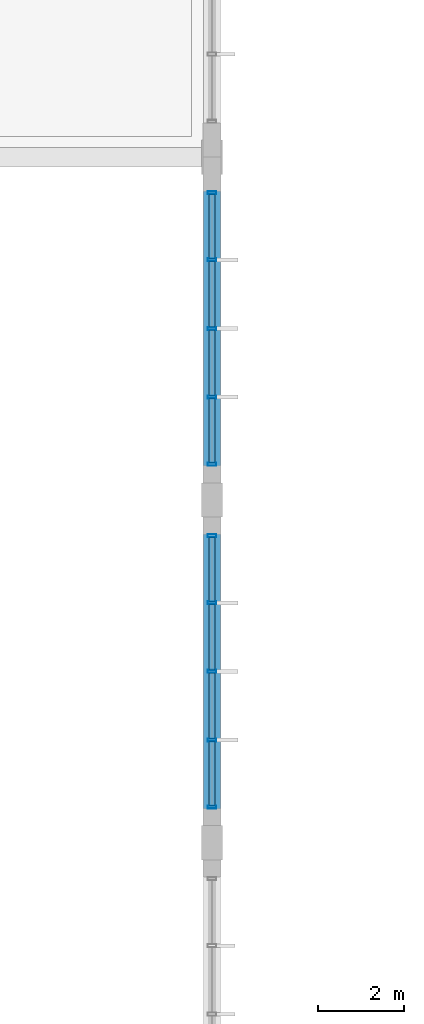
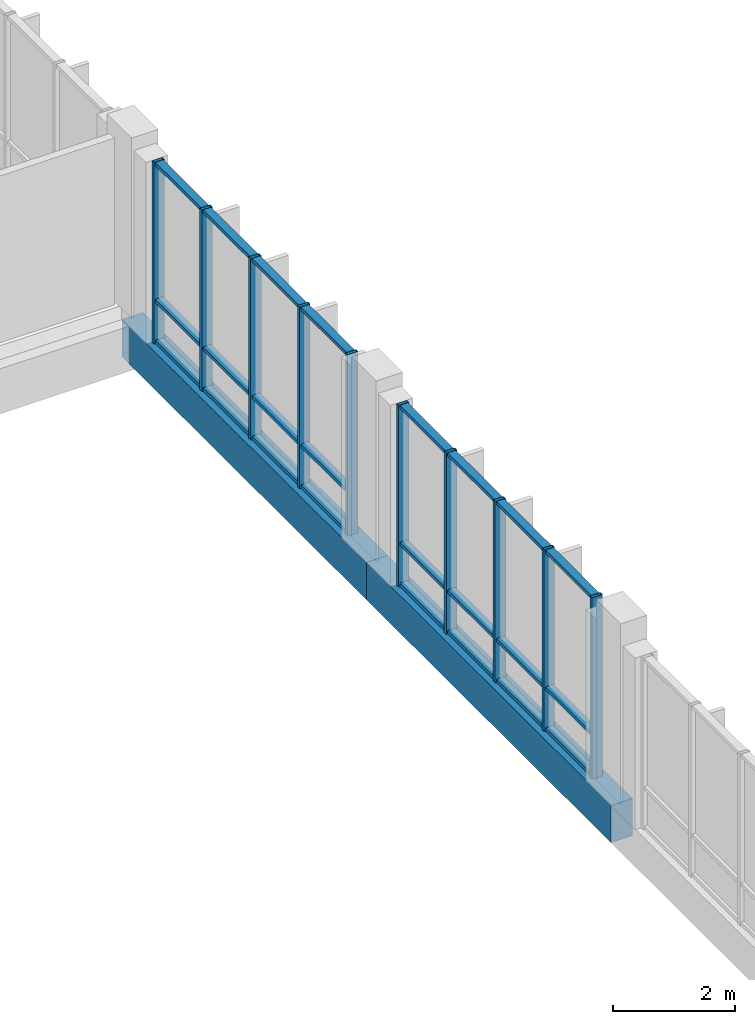
# One storey, part 65 of 189: 34 members, 2 beams, 2 elements without a shape of their own.
"""IFC4 building model written with IfcOpenShell, lengths in metres."""

import ifcopenshell
import ifcopenshell.guid

model = None  # the IFC model being written
_history = None  # IfcOwnerHistory: only IFC2X3 demands one
_inside = {}  # id of a spatial element -> (the spatial element, [elements in it])
_under = {}  # id of a project, library or spatial element -> (it, [spatial elements below it])
_declared = {}  # id of a project -> (the project, [libraries it declares])
_typed = {}  # id of a type object -> (the type object, [elements of that type])
_made_of = {}  # id of a material, layer set ... -> (it, [elements and type objects made of it])


def new_model(schema):
    """Start an empty IFC model of exactly this schema.

    Asked for "IFC4X3", IfcOpenShell would pick the latest addendum, in which some entities
    have other attributes; the version numbers below select the first issue.
    IFC2X3 requires an IfcOwnerHistory on every rooted entity: one is made here for all.
    """
    global model, _history
    if schema == "IFC4X3":
        model = ifcopenshell.file(schema_version=(4, 3, 0, 0))
    else:
        model = ifcopenshell.file(schema=schema)
    _inside.clear()
    _under.clear()
    _declared.clear()
    _typed.clear()
    _made_of.clear()
    _history = None
    if model.schema == "IFC2X3":
        org = make("IfcOrganization", Name="unknown")
        user = make(
            "IfcPersonAndOrganization",
            ThePerson=make("IfcPerson", FamilyName="unknown"),
            TheOrganization=org,
        )
        app = make(
            "IfcApplication",
            ApplicationDeveloper=org,
            Version="unknown",
            ApplicationFullName="unknown",
            ApplicationIdentifier="unknown",
        )
        _history = make(
            "IfcOwnerHistory",
            OwningUser=user,
            OwningApplication=app,
            ChangeAction="ADDED",
            CreationDate=0,
        )
    return model


def make(cls, **values):
    """One entity of the class cls with the attributes given. An attribute that is None is left unset."""
    return model.create_entity(
        cls, **{name: value for name, value in values.items() if value is not None}
    )


def rooted(cls, **values):
    """An entity with a GlobalId (a new one), such as an element, a storey or a relation."""
    return make(cls, GlobalId=ifcopenshell.guid.new(), OwnerHistory=_history, **values)


def si_unit(unit_type, name, prefix=None):
    """IfcSIUnit, for example si_unit("LENGTHUNIT", "METRE", prefix="MILLI")."""
    return make("IfcSIUnit", UnitType=unit_type, Prefix=prefix, Name=name)


def assignment(units):
    """IfcUnitAssignment: the units of a project."""
    return None if units is None else make("IfcUnitAssignment", Units=units)


def point(xyz):
    """IfcCartesianPoint."""
    return None if xyz is None else make("IfcCartesianPoint", Coordinates=xyz)


def direction(xyz):
    """IfcDirection."""
    return None if xyz is None else make("IfcDirection", DirectionRatios=xyz)


def frame(location, z_axis=None, x_axis=None):
    """IfcAxis2Placement3D, a coordinate frame: its origin and axes. An axis left out is left unset."""
    return make(
        "IfcAxis2Placement3D",
        Location=point(location),
        Axis=direction(z_axis),
        RefDirection=direction(x_axis),
    )


def frame_2d(location, x_axis=None):
    """IfcAxis2Placement2D, a coordinate frame in the plane: its origin and x axis."""
    return make(
        "IfcAxis2Placement2D", Location=point(location), RefDirection=direction(x_axis)
    )


def origin():
    """The frame at (0, 0, 0) with its axes left unset."""
    return frame((0.0, 0.0, 0.0))


def origin_2d():
    """The frame at (0, 0) in the plane with its x axis left unset."""
    return frame_2d((0.0, 0.0))


def place(relative_to, where):
    """IfcLocalPlacement: puts the frame where relative to a parent placement (None: the world)."""
    return make(
        "IfcLocalPlacement", PlacementRelTo=relative_to, RelativePlacement=where
    )


def context(
    kind, dimensions, precision=None, world=None, true_north=None, identifier=None
):
    """IfcGeometricRepresentationContext, for example the 3D "Model" context."""
    return make(
        "IfcGeometricRepresentationContext",
        ContextIdentifier=identifier,
        ContextType=kind,
        CoordinateSpaceDimension=dimensions,
        Precision=precision,
        WorldCoordinateSystem=world,
        TrueNorth=true_north,
    )


def subcontext(parent, identifier, kind, view, scale=None):
    """IfcGeometricRepresentationSubContext, for example "Body" below "Model"."""
    return make(
        "IfcGeometricRepresentationSubContext",
        ContextIdentifier=identifier,
        ContextType=kind,
        ParentContext=parent,
        TargetScale=scale,
        TargetView=view,
    )


def project(units=None, contexts=None):
    """IfcProject with its units and contexts."""
    return rooted(
        "IfcProject",
        Name="project",
        RepresentationContexts=contexts,
        UnitsInContext=assignment(units),
    )


def spatial(cls, under=None, at=None, **own):
    """A site, building, storey or space (cls), placed at a placement, below another one or the project."""
    s = rooted(cls, ObjectPlacement=at, **own)
    if under is not None:
        _under.setdefault(under.id(), (under, []))[1].append(s)
    return s


def profile(cls, at=None, kind="AREA", **sizes):
    """A parametric profile (cls). Its sizes go by their IFC names, for example OverallWidth=200.0."""
    return make(cls, ProfileType=kind, Position=at, **sizes)


def rectangle(**sizes):
    """IfcRectangleProfileDef."""
    return profile("IfcRectangleProfileDef", **sizes)


def hollow_rectangle(**sizes):
    """IfcRectangleHollowProfileDef."""
    return profile("IfcRectangleHollowProfileDef", **sizes)


def extrude(swept, where, along, depth):
    """IfcExtrudedAreaSolid: the profile swept, set in the frame where, extruded along a direction by depth."""
    return make(
        "IfcExtrudedAreaSolid",
        SweptArea=swept,
        Position=where,
        ExtrudedDirection=direction(along),
        Depth=depth,
    )


def shape(context_of_items, identifier, shape_type, items):
    """IfcShapeRepresentation: the items that make up one representation, for example the "Body"."""
    return make(
        "IfcShapeRepresentation",
        ContextOfItems=context_of_items,
        RepresentationIdentifier=identifier,
        RepresentationType=shape_type,
        Items=items,
    )


def material(Name=None, Category=None):
    """IfcMaterial."""
    return make("IfcMaterial", Name=Name, Category=Category)


def material_profile(
    of_material, cross_section, Name=None, Category=None, Priority=None
):
    """IfcMaterialProfile: a cross section and its material."""
    return make(
        "IfcMaterialProfile",
        Name=Name,
        Material=of_material,
        Profile=cross_section,
        Priority=Priority,
        Category=Category,
    )


def profile_set(profiles, Name=None, composite=None):
    """IfcMaterialProfileSet."""
    return make(
        "IfcMaterialProfileSet",
        Name=Name,
        MaterialProfiles=profiles,
        CompositeProfile=composite,
    )


def made_of(thing, what):
    """Note that an element or type object is made of a material, layer set ...; save() writes the relation."""
    if what is not None:
        _made_of.setdefault(what.id(), (what, []))[1].append(thing)
    return thing


def type_object(cls, material=None, **own):
    """A type object (cls), such as IfcWallType, which elements share."""
    return made_of(rooted(cls, **own), material)


def element(
    cls,
    number,
    at=None,
    inside=None,
    cuts=None,
    type_object=None,
    material=None,
    context=None,
    identifier="Body",
    shape_type=None,
    held_by="IfcProductDefinitionShape",
    body=None,
    shapes=None,
    **own,
):
    """One element of the class cls, such as IfcWall. Its Tag is "e" and its number.

    at: its placement. inside: the storey or other place that contains it. cuts: it is an
    opening in that element (IfcRelVoidsElement). A single representation is given by context,
    identifier, shape_type and body (its items); several are given by shapes. held_by: the class
    of the entity that holds the representations. save() writes the other relations.
    """
    e = rooted(cls, Tag="e%d" % number, ObjectPlacement=at, **own)
    if body is not None:
        shapes = [shape(context, identifier, shape_type, body)]
    if shapes is not None:
        e.Representation = make(held_by, Representations=shapes)
    if inside is not None:
        _inside.setdefault(inside.id(), (inside, []))[1].append(e)
    if cuts is not None:
        rooted(
            "IfcRelVoidsElement", RelatingBuildingElement=cuts, RelatedOpeningElement=e
        )
    if type_object is not None:
        _typed.setdefault(type_object.id(), (type_object, []))[1].append(e)
    return made_of(e, material)


def aggregate(whole, parts):
    """IfcRelAggregates: a whole, such as a stair, and the parts it consists of."""
    return rooted("IfcRelAggregates", RelatingObject=whole, RelatedObjects=parts)


def save(model, path):
    """Write the relations noted so far, then the file.

    IfcRelAggregates (storeys below a building ...), IfcRelContainedInSpatialStructure (elements
    in a storey), IfcRelDefinesByType, IfcRelAssociatesMaterial and IfcRelDeclares: one each for
    every whole, place, type object, material and project.
    """
    for whole, parts in _under.values():
        aggregate(whole, parts)
    for where, things in _inside.values():
        rooted(
            "IfcRelContainedInSpatialStructure",
            RelatedElements=things,
            RelatingStructure=where,
        )
    for kind, things in _typed.values():
        rooted("IfcRelDefinesByType", RelatedObjects=things, RelatingType=kind)
    for what, things in _made_of.values():
        rooted("IfcRelAssociatesMaterial", RelatedObjects=things, RelatingMaterial=what)
    for by, libraries in _declared.values():
        rooted("IfcRelDeclares", RelatingContext=by, RelatedDefinitions=libraries)
    model.write(path)


model = new_model("IFC4")

# Units and contexts
model_context = context("Model", 3, precision=1e-05, world=origin(), true_north=direction((0.0, 1.0)))
body_context = subcontext(model_context, "Body", "Model", "MODEL_VIEW")
ifc_project = project(units=[si_unit("LENGTHUNIT", "METRE"), si_unit("AREAUNIT", "SQUARE_METRE"), si_unit("VOLUMEUNIT", "CUBIC_METRE"), si_unit("PLANEANGLEUNIT", "RADIAN"), si_unit("MASSUNIT", "GRAM", prefix="KILO")], contexts=[model_context])

# Site, building, storey
site_placement = place(None, origin())
site = spatial("IfcSite", under=ifc_project, at=site_placement, CompositionType="ELEMENT")
building_placement = place(site_placement, origin())
building = spatial("IfcBuilding", under=site, at=building_placement, Name="Zavelmont Quarter", CompositionType="ELEMENT")
storey_placement = place(building_placement, frame((0.0, 0.0, 4.39990234375)))
storey = spatial("IfcBuildingStorey", under=building, at=storey_placement, Name="L01", CompositionType="ELEMENT", Elevation=4.39990234375)

# Beams
ifc_material_1 = material(Name="Concrete C40/50", Category="concrete")
ifc_material_profile_1 = material_profile(ifc_material_1, rectangle(XDim=0.39990234375, YDim=0.75, at=origin_2d()), Name="RC400X750")
ifc_profile_set_1 = profile_set([ifc_material_profile_1], Name="Concrete C40/50")
beam_type = type_object("IfcBeamType", Name="BM05", PredefinedType="BEAM", material=ifc_profile_set_1)
for number, where, z_axis, x_axis, name in (
    (1, (112.800048828125, 46.0, -0.65478515625), (0.0, 1.0, 0.0), (-1.0, 0.0, 0.0), "L01 beam BM05 17/H to 17/J"),
    (2, (112.800048828125, 54.0, -0.65478515625), (0.0, 1.0, 0.0), (-1.0, 0.0, 0.0), "L01 beam BM05 17/J to 17/K"),
):
    element("IfcBeam", number, at=place(storey_placement, frame(where, z_axis=z_axis, x_axis=x_axis)), inside=storey, type_object=beam_type, Name=name, PredefinedType="BEAM", context=body_context, shape_type="SweptSolid", body=[
        extrude(rectangle(XDim=0.39990234375, YDim=0.75, at=origin_2d()), origin(), (0.0, 0.0, 1.0), 8.0),
    ])

# Curtain wall, members
ifc_material_2 = material(Name="Thermally broken aluminium and double low-E safety glazing", Category="aluminium")
curtain_wall_type = type_object("IfcCurtainWallType", Name="CW-640X362", PredefinedType="NOTDEFINED", material=ifc_material_2)
curtain_wall_1_placement = place(storey_placement, origin())
curtain_wall_1 = element("IfcCurtainWall", 3, at=curtain_wall_1_placement, inside=storey, type_object=curtain_wall_type, Name="L01 unitised curtain wall CW-640X362", PredefinedType="NOTDEFINED")
ifc_material_3 = material(Name="Powder-coated aluminium EN AW-6063-T6", Category="aluminium")
ifc_material_profile_2 = material_profile(ifc_material_3, hollow_rectangle(XDim=0.070068359375, YDim=0.199951171875, WallThickness=0.0048828125, at=origin_2d()), Name="CWM70X200")
ifc_profile_set_2 = profile_set([ifc_material_profile_2], Name="Powder-coated aluminium EN AW-6063-T6")
member_type_1 = type_object("IfcMemberType", Name="CWM02", PredefinedType="MULLION", material=ifc_profile_set_2)
member_1_placement = place(storey_placement, frame((112.800048828125, 46.8349609375, -0.27978515625), z_axis=(0.0, 0.0, 1.0), x_axis=(0.0, 1.0, 0.0)))
member_1 = element("IfcMember", 4, at=member_1_placement, type_object=member_type_1, Name="CW-640X362 mullion 1", PredefinedType="MULLION", context=body_context, shape_type="SweptSolid", body=[
    extrude(hollow_rectangle(XDim=0.070068359375, YDim=0.199951171875, WallThickness=0.0048828125, at=origin_2d()), origin(), (0.0, 0.0, 1.0), 3.619873046875),
])
member_2_placement = place(storey_placement, frame((112.800048828125, 48.39990234375, -0.27978515625), z_axis=(0.0, 0.0, 1.0), x_axis=(0.0, 1.0, 0.0)))
member_2 = element("IfcMember", 5, at=member_2_placement, type_object=member_type_1, Name="CW-640X362 mullion 2", PredefinedType="MULLION", context=body_context, shape_type="SweptSolid", body=[
    extrude(hollow_rectangle(XDim=0.070068359375, YDim=0.199951171875, WallThickness=0.0048828125, at=origin_2d()), origin(), (0.0, 0.0, 1.0), 3.619873046875),
])
member_3_placement = place(storey_placement, frame((112.800048828125, 50.0, -0.27978515625), z_axis=(0.0, 0.0, 1.0), x_axis=(0.0, 1.0, 0.0)))
member_3 = element("IfcMember", 6, at=member_3_placement, type_object=member_type_1, Name="CW-640X362 mullion 3", PredefinedType="MULLION", context=body_context, shape_type="SweptSolid", body=[
    extrude(hollow_rectangle(XDim=0.070068359375, YDim=0.199951171875, WallThickness=0.0048828125, at=origin_2d()), origin(), (0.0, 0.0, 1.0), 3.619873046875),
])
member_4_placement = place(storey_placement, frame((112.800048828125, 51.60009765625, -0.27978515625), z_axis=(0.0, 0.0, 1.0), x_axis=(0.0, 1.0, 0.0)))
member_4 = element("IfcMember", 7, at=member_4_placement, type_object=member_type_1, Name="CW-640X362 mullion 4", PredefinedType="MULLION", context=body_context, shape_type="SweptSolid", body=[
    extrude(hollow_rectangle(XDim=0.070068359375, YDim=0.199951171875, WallThickness=0.0048828125, at=origin_2d()), origin(), (0.0, 0.0, 1.0), 3.619873046875),
])
member_5_placement = place(storey_placement, frame((112.800048828125, 53.1650390625, -0.27978515625), z_axis=(0.0, 0.0, 1.0), x_axis=(0.0, 1.0, 0.0)))
member_5 = element("IfcMember", 8, at=member_5_placement, type_object=member_type_1, Name="CW-640X362 mullion 5", PredefinedType="MULLION", context=body_context, shape_type="SweptSolid", body=[
    extrude(hollow_rectangle(XDim=0.070068359375, YDim=0.199951171875, WallThickness=0.0048828125, at=origin_2d()), origin(), (0.0, 0.0, 1.0), 3.619873046875),
])

curtain_wall_2_placement = place(storey_placement, origin())
curtain_wall_2 = element("IfcCurtainWall", 9, at=curtain_wall_2_placement, inside=storey, type_object=curtain_wall_type, Name="L01 unitised curtain wall CW-640X362", PredefinedType="NOTDEFINED")
member_6_placement = place(storey_placement, frame((112.800048828125, 54.8349609375, -0.27978515625), z_axis=(0.0, 0.0, 1.0), x_axis=(0.0, 1.0, 0.0)))
member_6 = element("IfcMember", 10, at=member_6_placement, type_object=member_type_1, Name="CW-640X362 mullion 1", PredefinedType="MULLION", context=body_context, shape_type="SweptSolid", body=[
    extrude(hollow_rectangle(XDim=0.070068359375, YDim=0.199951171875, WallThickness=0.0048828125, at=origin_2d()), origin(), (0.0, 0.0, 1.0), 3.619873046875),
])
member_7_placement = place(storey_placement, frame((112.800048828125, 56.39990234375, -0.27978515625), z_axis=(0.0, 0.0, 1.0), x_axis=(0.0, 1.0, 0.0)))
member_7 = element("IfcMember", 11, at=member_7_placement, type_object=member_type_1, Name="CW-640X362 mullion 2", PredefinedType="MULLION", context=body_context, shape_type="SweptSolid", body=[
    extrude(hollow_rectangle(XDim=0.070068359375, YDim=0.199951171875, WallThickness=0.0048828125, at=origin_2d()), origin(), (0.0, 0.0, 1.0), 3.619873046875),
])
member_8_placement = place(storey_placement, frame((112.800048828125, 58.0, -0.27978515625), z_axis=(0.0, 0.0, 1.0), x_axis=(0.0, 1.0, 0.0)))
member_8 = element("IfcMember", 12, at=member_8_placement, type_object=member_type_1, Name="CW-640X362 mullion 3", PredefinedType="MULLION", context=body_context, shape_type="SweptSolid", body=[
    extrude(hollow_rectangle(XDim=0.070068359375, YDim=0.199951171875, WallThickness=0.0048828125, at=origin_2d()), origin(), (0.0, 0.0, 1.0), 3.619873046875),
])
member_9_placement = place(storey_placement, frame((112.800048828125, 59.60009765625, -0.27978515625), z_axis=(0.0, 0.0, 1.0), x_axis=(0.0, 1.0, 0.0)))
member_9 = element("IfcMember", 13, at=member_9_placement, type_object=member_type_1, Name="CW-640X362 mullion 4", PredefinedType="MULLION", context=body_context, shape_type="SweptSolid", body=[
    extrude(hollow_rectangle(XDim=0.070068359375, YDim=0.199951171875, WallThickness=0.0048828125, at=origin_2d()), origin(), (0.0, 0.0, 1.0), 3.619873046875),
])
member_10_placement = place(storey_placement, frame((112.800048828125, 61.1650390625, -0.27978515625), z_axis=(0.0, 0.0, 1.0), x_axis=(0.0, 1.0, 0.0)))
member_10 = element("IfcMember", 14, at=member_10_placement, type_object=member_type_1, Name="CW-640X362 mullion 5", PredefinedType="MULLION", context=body_context, shape_type="SweptSolid", body=[
    extrude(hollow_rectangle(XDim=0.070068359375, YDim=0.199951171875, WallThickness=0.0048828125, at=origin_2d()), origin(), (0.0, 0.0, 1.0), 3.619873046875),
])

# Member
ifc_material_profile_3 = material_profile(ifc_material_3, hollow_rectangle(XDim=0.14990234375, YDim=0.070068359375, WallThickness=0.00439453125, at=origin_2d()), Name="CWT70X150")
ifc_profile_set_3 = profile_set([ifc_material_profile_3], Name="Powder-coated aluminium EN AW-6063-T6")
member_type_2 = type_object("IfcMemberType", Name="CWT02", PredefinedType="NOTDEFINED", material=ifc_profile_set_3)
member_11_placement = place(storey_placement, frame((112.800048828125, 46.8701171875, -0.244873046875), z_axis=(0.0, 1.0, 0.0), x_axis=(-1.0, 0.0, 0.0)))
member_11 = element("IfcMember", 15, at=member_11_placement, type_object=member_type_2, Name="CW-640X362 transom 1.1", ObjectType="TRANSOM", PredefinedType="USERDEFINED", context=body_context, shape_type="SweptSolid", body=[
    extrude(hollow_rectangle(XDim=0.14990234375, YDim=0.070068359375, WallThickness=0.00439453125, at=origin_2d()), origin(), (0.0, 0.0, 1.0), 1.494873046875),
])

member_12_placement = place(storey_placement, frame((112.800048828125, 46.8701171875, 0.570068359375), z_axis=(0.0, 1.0, 0.0), x_axis=(-1.0, 0.0, 0.0)))
member_12 = element("IfcMember", 16, at=member_12_placement, type_object=member_type_2, Name="CW-640X362 transom 1.2", ObjectType="TRANSOM", PredefinedType="USERDEFINED", context=body_context, shape_type="SweptSolid", body=[
    extrude(hollow_rectangle(XDim=0.14990234375, YDim=0.070068359375, WallThickness=0.00439453125, at=origin_2d()), origin(), (0.0, 0.0, 1.0), 1.494873046875),
])

member_13_placement = place(storey_placement, frame((112.800048828125, 46.8701171875, 3.30517578125), z_axis=(0.0, 1.0, 0.0), x_axis=(-1.0, 0.0, 0.0)))
member_13 = element("IfcMember", 17, at=member_13_placement, type_object=member_type_2, Name="CW-640X362 transom 1.3", ObjectType="TRANSOM", PredefinedType="USERDEFINED", context=body_context, shape_type="SweptSolid", body=[
    extrude(hollow_rectangle(XDim=0.14990234375, YDim=0.070068359375, WallThickness=0.00439453125, at=origin_2d()), origin(), (0.0, 0.0, 1.0), 1.494873046875),
])

member_14_placement = place(storey_placement, frame((112.800048828125, 48.43505859375, -0.244873046875), z_axis=(0.0, 1.0, 0.0), x_axis=(-1.0, 0.0, 0.0)))
member_14 = element("IfcMember", 18, at=member_14_placement, type_object=member_type_2, Name="CW-640X362 transom 2.1", ObjectType="TRANSOM", PredefinedType="USERDEFINED", context=body_context, shape_type="SweptSolid", body=[
    extrude(hollow_rectangle(XDim=0.14990234375, YDim=0.070068359375, WallThickness=0.00439453125, at=origin_2d()), origin(), (0.0, 0.0, 1.0), 1.530029296875),
])

member_15_placement = place(storey_placement, frame((112.800048828125, 48.43505859375, 0.570068359375), z_axis=(0.0, 1.0, 0.0), x_axis=(-1.0, 0.0, 0.0)))
member_15 = element("IfcMember", 19, at=member_15_placement, type_object=member_type_2, Name="CW-640X362 transom 2.2", ObjectType="TRANSOM", PredefinedType="USERDEFINED", context=body_context, shape_type="SweptSolid", body=[
    extrude(hollow_rectangle(XDim=0.14990234375, YDim=0.070068359375, WallThickness=0.00439453125, at=origin_2d()), origin(), (0.0, 0.0, 1.0), 1.530029296875),
])

member_16_placement = place(storey_placement, frame((112.800048828125, 48.43505859375, 3.30517578125), z_axis=(0.0, 1.0, 0.0), x_axis=(-1.0, 0.0, 0.0)))
member_16 = element("IfcMember", 20, at=member_16_placement, type_object=member_type_2, Name="CW-640X362 transom 2.3", ObjectType="TRANSOM", PredefinedType="USERDEFINED", context=body_context, shape_type="SweptSolid", body=[
    extrude(hollow_rectangle(XDim=0.14990234375, YDim=0.070068359375, WallThickness=0.00439453125, at=origin_2d()), origin(), (0.0, 0.0, 1.0), 1.530029296875),
])

member_17_placement = place(storey_placement, frame((112.800048828125, 50.034912109375, -0.244873046875), z_axis=(0.0, 1.0, 0.0), x_axis=(-1.0, 0.0, 0.0)))
member_17 = element("IfcMember", 21, at=member_17_placement, type_object=member_type_2, Name="CW-640X362 transom 3.1", ObjectType="TRANSOM", PredefinedType="USERDEFINED", context=body_context, shape_type="SweptSolid", body=[
    extrude(hollow_rectangle(XDim=0.14990234375, YDim=0.070068359375, WallThickness=0.00439453125, at=origin_2d()), origin(), (0.0, 0.0, 1.0), 1.530029296875),
])

member_18_placement = place(storey_placement, frame((112.800048828125, 50.034912109375, 0.570068359375), z_axis=(0.0, 1.0, 0.0), x_axis=(-1.0, 0.0, 0.0)))
member_18 = element("IfcMember", 22, at=member_18_placement, type_object=member_type_2, Name="CW-640X362 transom 3.2", ObjectType="TRANSOM", PredefinedType="USERDEFINED", context=body_context, shape_type="SweptSolid", body=[
    extrude(hollow_rectangle(XDim=0.14990234375, YDim=0.070068359375, WallThickness=0.00439453125, at=origin_2d()), origin(), (0.0, 0.0, 1.0), 1.530029296875),
])

member_19_placement = place(storey_placement, frame((112.800048828125, 50.034912109375, 3.30517578125), z_axis=(0.0, 1.0, 0.0), x_axis=(-1.0, 0.0, 0.0)))
member_19 = element("IfcMember", 23, at=member_19_placement, type_object=member_type_2, Name="CW-640X362 transom 3.3", ObjectType="TRANSOM", PredefinedType="USERDEFINED", context=body_context, shape_type="SweptSolid", body=[
    extrude(hollow_rectangle(XDim=0.14990234375, YDim=0.070068359375, WallThickness=0.00439453125, at=origin_2d()), origin(), (0.0, 0.0, 1.0), 1.530029296875),
])

member_20_placement = place(storey_placement, frame((112.800048828125, 51.635009765625, -0.244873046875), z_axis=(0.0, 1.0, 0.0), x_axis=(-1.0, 0.0, 0.0)))
member_20 = element("IfcMember", 24, at=member_20_placement, type_object=member_type_2, Name="CW-640X362 transom 4.1", ObjectType="TRANSOM", PredefinedType="USERDEFINED", context=body_context, shape_type="SweptSolid", body=[
    extrude(hollow_rectangle(XDim=0.14990234375, YDim=0.070068359375, WallThickness=0.00439453125, at=origin_2d()), origin(), (0.0, 0.0, 1.0), 1.494873046875),
])

member_21_placement = place(storey_placement, frame((112.800048828125, 51.635009765625, 0.570068359375), z_axis=(0.0, 1.0, 0.0), x_axis=(-1.0, 0.0, 0.0)))
member_21 = element("IfcMember", 25, at=member_21_placement, type_object=member_type_2, Name="CW-640X362 transom 4.2", ObjectType="TRANSOM", PredefinedType="USERDEFINED", context=body_context, shape_type="SweptSolid", body=[
    extrude(hollow_rectangle(XDim=0.14990234375, YDim=0.070068359375, WallThickness=0.00439453125, at=origin_2d()), origin(), (0.0, 0.0, 1.0), 1.494873046875),
])

member_22_placement = place(storey_placement, frame((112.800048828125, 51.635009765625, 3.30517578125), z_axis=(0.0, 1.0, 0.0), x_axis=(-1.0, 0.0, 0.0)))
member_22 = element("IfcMember", 26, at=member_22_placement, type_object=member_type_2, Name="CW-640X362 transom 4.3", ObjectType="TRANSOM", PredefinedType="USERDEFINED", context=body_context, shape_type="SweptSolid", body=[
    extrude(hollow_rectangle(XDim=0.14990234375, YDim=0.070068359375, WallThickness=0.00439453125, at=origin_2d()), origin(), (0.0, 0.0, 1.0), 1.494873046875),
])

aggregate(curtain_wall_1, [member_1, member_2, member_3, member_4, member_5, member_11, member_12, member_13, member_14, member_15, member_16, member_17, member_18, member_19, member_20, member_21, member_22])

member_23_placement = place(storey_placement, frame((112.800048828125, 54.8701171875, -0.244873046875), z_axis=(0.0, 1.0, 0.0), x_axis=(-1.0, 0.0, 0.0)))
member_23 = element("IfcMember", 27, at=member_23_placement, type_object=member_type_2, Name="CW-640X362 transom 1.1", ObjectType="TRANSOM", PredefinedType="USERDEFINED", context=body_context, shape_type="SweptSolid", body=[
    extrude(hollow_rectangle(XDim=0.14990234375, YDim=0.070068359375, WallThickness=0.00439453125, at=origin_2d()), origin(), (0.0, 0.0, 1.0), 1.494873046875),
])

member_24_placement = place(storey_placement, frame((112.800048828125, 54.8701171875, 0.570068359375), z_axis=(0.0, 1.0, 0.0), x_axis=(-1.0, 0.0, 0.0)))
member_24 = element("IfcMember", 28, at=member_24_placement, type_object=member_type_2, Name="CW-640X362 transom 1.2", ObjectType="TRANSOM", PredefinedType="USERDEFINED", context=body_context, shape_type="SweptSolid", body=[
    extrude(hollow_rectangle(XDim=0.14990234375, YDim=0.070068359375, WallThickness=0.00439453125, at=origin_2d()), origin(), (0.0, 0.0, 1.0), 1.494873046875),
])

member_25_placement = place(storey_placement, frame((112.800048828125, 54.8701171875, 3.30517578125), z_axis=(0.0, 1.0, 0.0), x_axis=(-1.0, 0.0, 0.0)))
member_25 = element("IfcMember", 29, at=member_25_placement, type_object=member_type_2, Name="CW-640X362 transom 1.3", ObjectType="TRANSOM", PredefinedType="USERDEFINED", context=body_context, shape_type="SweptSolid", body=[
    extrude(hollow_rectangle(XDim=0.14990234375, YDim=0.070068359375, WallThickness=0.00439453125, at=origin_2d()), origin(), (0.0, 0.0, 1.0), 1.494873046875),
])

member_26_placement = place(storey_placement, frame((112.800048828125, 56.43505859375, -0.244873046875), z_axis=(0.0, 1.0, 0.0), x_axis=(-1.0, 0.0, 0.0)))
member_26 = element("IfcMember", 30, at=member_26_placement, type_object=member_type_2, Name="CW-640X362 transom 2.1", ObjectType="TRANSOM", PredefinedType="USERDEFINED", context=body_context, shape_type="SweptSolid", body=[
    extrude(hollow_rectangle(XDim=0.14990234375, YDim=0.070068359375, WallThickness=0.00439453125, at=origin_2d()), origin(), (0.0, 0.0, 1.0), 1.530029296875),
])

member_27_placement = place(storey_placement, frame((112.800048828125, 56.43505859375, 0.570068359375), z_axis=(0.0, 1.0, 0.0), x_axis=(-1.0, 0.0, 0.0)))
member_27 = element("IfcMember", 31, at=member_27_placement, type_object=member_type_2, Name="CW-640X362 transom 2.2", ObjectType="TRANSOM", PredefinedType="USERDEFINED", context=body_context, shape_type="SweptSolid", body=[
    extrude(hollow_rectangle(XDim=0.14990234375, YDim=0.070068359375, WallThickness=0.00439453125, at=origin_2d()), origin(), (0.0, 0.0, 1.0), 1.530029296875),
])

member_28_placement = place(storey_placement, frame((112.800048828125, 56.43505859375, 3.30517578125), z_axis=(0.0, 1.0, 0.0), x_axis=(-1.0, 0.0, 0.0)))
member_28 = element("IfcMember", 32, at=member_28_placement, type_object=member_type_2, Name="CW-640X362 transom 2.3", ObjectType="TRANSOM", PredefinedType="USERDEFINED", context=body_context, shape_type="SweptSolid", body=[
    extrude(hollow_rectangle(XDim=0.14990234375, YDim=0.070068359375, WallThickness=0.00439453125, at=origin_2d()), origin(), (0.0, 0.0, 1.0), 1.530029296875),
])

member_29_placement = place(storey_placement, frame((112.800048828125, 58.034912109375, -0.244873046875), z_axis=(0.0, 1.0, 0.0), x_axis=(-1.0, 0.0, 0.0)))
member_29 = element("IfcMember", 33, at=member_29_placement, type_object=member_type_2, Name="CW-640X362 transom 3.1", ObjectType="TRANSOM", PredefinedType="USERDEFINED", context=body_context, shape_type="SweptSolid", body=[
    extrude(hollow_rectangle(XDim=0.14990234375, YDim=0.070068359375, WallThickness=0.00439453125, at=origin_2d()), origin(), (0.0, 0.0, 1.0), 1.530029296875),
])

member_30_placement = place(storey_placement, frame((112.800048828125, 58.034912109375, 0.570068359375), z_axis=(0.0, 1.0, 0.0), x_axis=(-1.0, 0.0, 0.0)))
member_30 = element("IfcMember", 34, at=member_30_placement, type_object=member_type_2, Name="CW-640X362 transom 3.2", ObjectType="TRANSOM", PredefinedType="USERDEFINED", context=body_context, shape_type="SweptSolid", body=[
    extrude(hollow_rectangle(XDim=0.14990234375, YDim=0.070068359375, WallThickness=0.00439453125, at=origin_2d()), origin(), (0.0, 0.0, 1.0), 1.530029296875),
])

member_31_placement = place(storey_placement, frame((112.800048828125, 58.034912109375, 3.30517578125), z_axis=(0.0, 1.0, 0.0), x_axis=(-1.0, 0.0, 0.0)))
member_31 = element("IfcMember", 35, at=member_31_placement, type_object=member_type_2, Name="CW-640X362 transom 3.3", ObjectType="TRANSOM", PredefinedType="USERDEFINED", context=body_context, shape_type="SweptSolid", body=[
    extrude(hollow_rectangle(XDim=0.14990234375, YDim=0.070068359375, WallThickness=0.00439453125, at=origin_2d()), origin(), (0.0, 0.0, 1.0), 1.530029296875),
])

member_32_placement = place(storey_placement, frame((112.800048828125, 59.635009765625, -0.244873046875), z_axis=(0.0, 1.0, 0.0), x_axis=(-1.0, 0.0, 0.0)))
member_32 = element("IfcMember", 36, at=member_32_placement, type_object=member_type_2, Name="CW-640X362 transom 4.1", ObjectType="TRANSOM", PredefinedType="USERDEFINED", context=body_context, shape_type="SweptSolid", body=[
    extrude(hollow_rectangle(XDim=0.14990234375, YDim=0.070068359375, WallThickness=0.00439453125, at=origin_2d()), origin(), (0.0, 0.0, 1.0), 1.494873046875),
])

member_33_placement = place(storey_placement, frame((112.800048828125, 59.635009765625, 0.570068359375), z_axis=(0.0, 1.0, 0.0), x_axis=(-1.0, 0.0, 0.0)))
member_33 = element("IfcMember", 37, at=member_33_placement, type_object=member_type_2, Name="CW-640X362 transom 4.2", ObjectType="TRANSOM", PredefinedType="USERDEFINED", context=body_context, shape_type="SweptSolid", body=[
    extrude(hollow_rectangle(XDim=0.14990234375, YDim=0.070068359375, WallThickness=0.00439453125, at=origin_2d()), origin(), (0.0, 0.0, 1.0), 1.494873046875),
])

member_34_placement = place(storey_placement, frame((112.800048828125, 59.635009765625, 3.30517578125), z_axis=(0.0, 1.0, 0.0), x_axis=(-1.0, 0.0, 0.0)))
member_34 = element("IfcMember", 38, at=member_34_placement, type_object=member_type_2, Name="CW-640X362 transom 4.3", ObjectType="TRANSOM", PredefinedType="USERDEFINED", context=body_context, shape_type="SweptSolid", body=[
    extrude(hollow_rectangle(XDim=0.14990234375, YDim=0.070068359375, WallThickness=0.00439453125, at=origin_2d()), origin(), (0.0, 0.0, 1.0), 1.494873046875),
])

aggregate(curtain_wall_2, [member_6, member_7, member_8, member_9, member_10, member_23, member_24, member_25, member_26, member_27, member_28, member_29, member_30, member_31, member_32, member_33, member_34])

save(model, "model.ifc")
